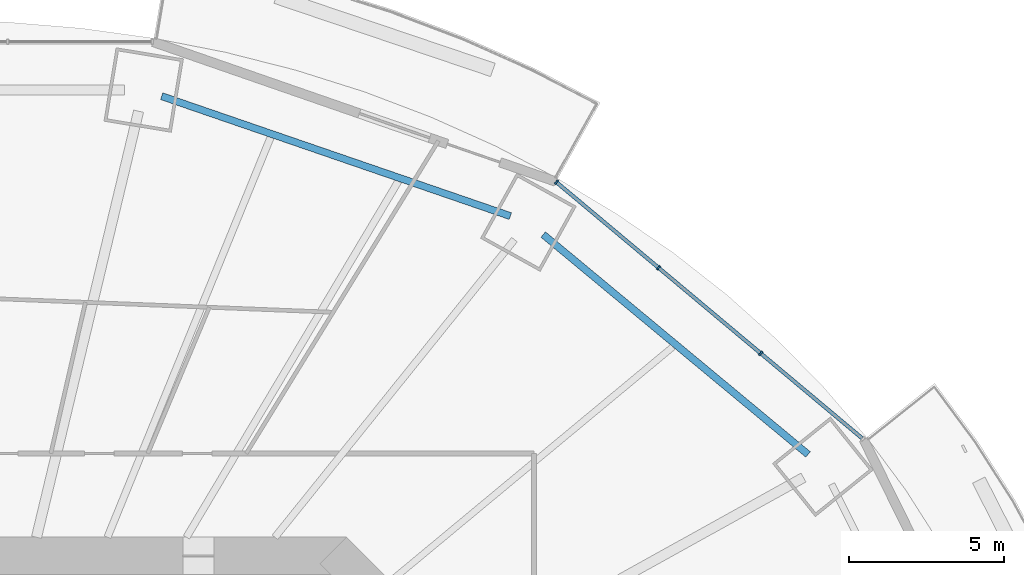
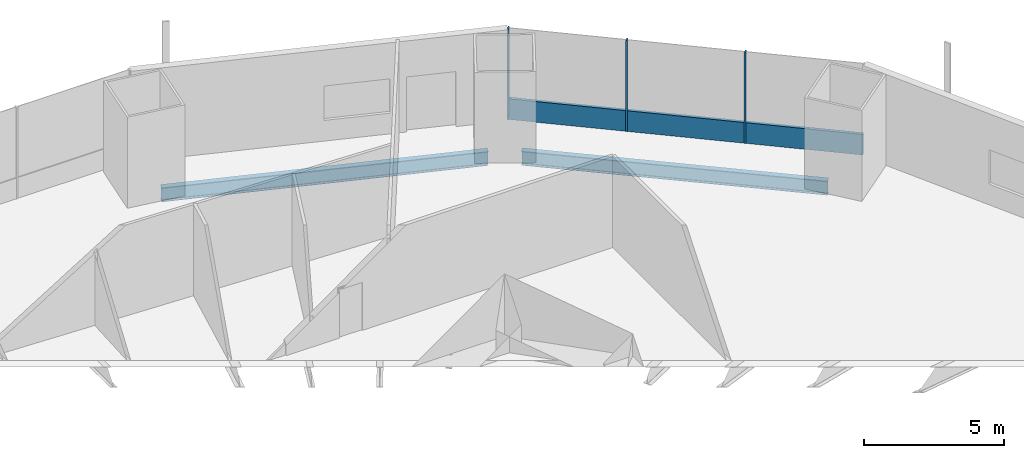
# One storey, part 10 of 23: 4 members, 2 beams, 1 element without a shape of its own.
"""IFC4 building model written with IfcOpenShell, lengths in metres."""

from ifc_helpers import new_model, si_unit, direction, frame, origin, origin_2d, place, context, subcontext, project, spatial, rectangle, i_section, extrude, material, material_profile, profile_set, type_object, element, aggregate, save


model = new_model("IFC4")

# Units and contexts
model_context = context("Model", 3, precision=1e-05, world=origin(), true_north=direction((0.0, 1.0)))
body_context = subcontext(model_context, "Body", "Model", "MODEL_VIEW")
ifc_project = project(units=[si_unit("LENGTHUNIT", "METRE"), si_unit("AREAUNIT", "SQUARE_METRE"), si_unit("VOLUMEUNIT", "CUBIC_METRE"), si_unit("PLANEANGLEUNIT", "RADIAN"), si_unit("MASSUNIT", "GRAM", prefix="KILO")], contexts=[model_context])

# Site, building, storey
site_placement = place(None, origin())
site = spatial("IfcSite", under=ifc_project, at=site_placement, CompositionType="ELEMENT")
building_placement = place(site_placement, origin())
building = spatial("IfcBuilding", under=site, at=building_placement, Name="Marenthal Gate Tower", CompositionType="ELEMENT")
storey_placement = place(building_placement, frame((0.0, 0.0, 66.199951171875)))
storey = spatial("IfcBuildingStorey", under=building, at=storey_placement, Name="L12", CompositionType="ELEMENT", Elevation=66.199951171875)

# Curtain wall, members
ifc_material_1 = material(Name="Aluminium and glass", Category="aluminium")
curtain_wall_type = type_object("IfcCurtainWallType", Name="Curtain wall typical low", PredefinedType="NOTDEFINED", material=ifc_material_1)
curtain_wall_placement = place(storey_placement, origin())
curtain_wall = element("IfcCurtainWall", 1, at=curtain_wall_placement, inside=storey, type_object=curtain_wall_type, Name="Curtain wall L12 bay 2", PredefinedType="NOTDEFINED")
ifc_material_2 = material(Name="Aluminium", Category="aluminium")
ifc_material_profile_1 = material_profile(ifc_material_2, rectangle(XDim=0.159912109375, YDim=0.06005859375, at=origin_2d()), Name="60x160 aluminium mullion")
ifc_profile_set_1 = profile_set([ifc_material_profile_1], Name="Aluminium")
member_type_1 = type_object("IfcMemberType", Name="Mullion 60x160 typical low", PredefinedType="MULLION", material=ifc_profile_set_1)
member_1_placement = place(storey_placement, frame((26.61083984375, 19.529052734375, 0.0), z_axis=(0.0, 0.0, 1.0), x_axis=(-0.642111737517, -0.766611059497, 0.0)))
member_1 = element("IfcMember", 2, at=member_1_placement, type_object=member_type_1, Name="Mullion L12 bay 2.2", PredefinedType="MULLION", context=body_context, shape_type="SweptSolid", body=[
    extrude(rectangle(XDim=0.159912109375, YDim=0.06005859375, at=origin_2d()), origin(), (0.0, 0.0, 1.0), 3.969970703125),
])
member_2_placement = place(storey_placement, frame((23.315673828125, 22.288818359375, 0.0), z_axis=(0.0, 0.0, 1.0), x_axis=(-0.642111737517, -0.766611059497, 0.0)))
member_2 = element("IfcMember", 3, at=member_2_placement, type_object=member_type_1, Name="Mullion L12 bay 2.3", PredefinedType="MULLION", context=body_context, shape_type="SweptSolid", body=[
    extrude(rectangle(XDim=0.159912109375, YDim=0.06005859375, at=origin_2d()), origin(), (0.0, 0.0, 1.0), 3.969970703125),
])
member_3_placement = place(storey_placement, frame((20.020751953125, 25.048828125, 0.0), z_axis=(0.0, 0.0, 1.0), x_axis=(-0.642111737517, -0.766611059497, 0.0)))
member_3 = element("IfcMember", 4, at=member_3_placement, type_object=member_type_1, Name="Mullion L12 bay 2.4", PredefinedType="MULLION", context=body_context, shape_type="SweptSolid", body=[
    extrude(rectangle(XDim=0.159912109375, YDim=0.06005859375, at=origin_2d()), origin(), (0.0, 0.0, 1.0), 3.969970703125),
])
ifc_material_3 = material(Name="Aluminium", Category="aluminium")
ifc_material_profile_2 = material_profile(ifc_material_3, rectangle(XDim=0.1201171875, YDim=0.89990234375, at=origin_2d()), Name="120x900 aluminium transom")
ifc_profile_set_2 = profile_set([ifc_material_profile_2], Name="Aluminium")
member_type_2 = type_object("IfcMemberType", Name="Transom 120x900 typical low", PredefinedType="USERDEFINED", material=ifc_profile_set_2)
member_4_placement = place(storey_placement, frame((29.8828125, 16.788330078125, 0.449951171875), z_axis=(-0.766611330769, 0.642111413648, 0.0), x_axis=(-0.642111413648, -0.766611330769, 0.0)))
member_4 = element("IfcMember", 5, at=member_4_placement, type_object=member_type_2, Name="Transom L12 bay 2", ObjectType="TRANSOM", PredefinedType="USERDEFINED", context=body_context, shape_type="SweptSolid", body=[
    extrude(rectangle(XDim=0.1201171875, YDim=0.89990234375, at=origin_2d()), origin(), (0.0, 0.0, 1.0), 12.83447265625),
])
aggregate(curtain_wall, [member_1, member_2, member_3, member_4])

# Beams
ifc_material_4 = material(Name="Steel S355", Category="steel")
ifc_material_profile_3 = material_profile(ifc_material_4, i_section(OverallWidth=0.22900390625, OverallDepth=0.612060546875, WebThickness=0.011962890625, FlangeThickness=0.01953125, FilletRadius=0.0126953125, at=origin_2d()), Name="W610X125")
ifc_profile_set_3 = profile_set([ifc_material_profile_3], Name="Steel S355")
beam_type = type_object("IfcBeamType", Name="W610X125 beam", PredefinedType="BEAM", material=ifc_profile_set_3)
beam_1_placement = place(storey_placement, frame((28.135986328125, 16.26953125, -0.48583984375), z_axis=(-0.769424366687, 0.63873793057, 0.0), x_axis=(-0.63873793057, -0.769424366687, 0.0)))
element("IfcBeam", 6, at=beam_1_placement, inside=storey, type_object=beam_type, Name="BM-L12-42", PredefinedType="BEAM", context=body_context, shape_type="SweptSolid", body=[
    extrude(i_section(OverallWidth=0.22900390625, OverallDepth=0.612060546875, WebThickness=0.011962890625, FlangeThickness=0.01953125, FilletRadius=0.0126953125, at=origin_2d()), origin(), (0.0, 0.0, 1.0), 11.0986328125),
])
beam_2_placement = place(storey_placement, frame((18.536376953125, 23.954833984375, -0.48583984375), z_axis=(-0.945656601656, 0.325167021304, 0.0), x_axis=(-0.325167021304, -0.945656601656, 0.0)))
element("IfcBeam", 7, at=beam_2_placement, inside=storey, type_object=beam_type, Name="BM-L12-43", PredefinedType="BEAM", context=body_context, shape_type="SweptSolid", body=[
    extrude(i_section(OverallWidth=0.22900390625, OverallDepth=0.612060546875, WebThickness=0.011962890625, FlangeThickness=0.01953125, FilletRadius=0.0126953125, at=origin_2d()), origin(), (0.0, 0.0, 1.0), 11.88623046875),
])

save(model, "model.ifc")
